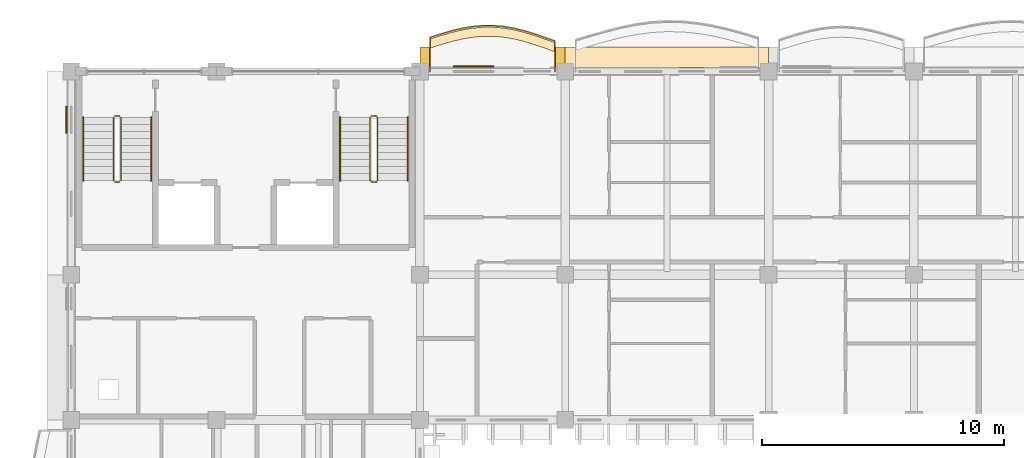
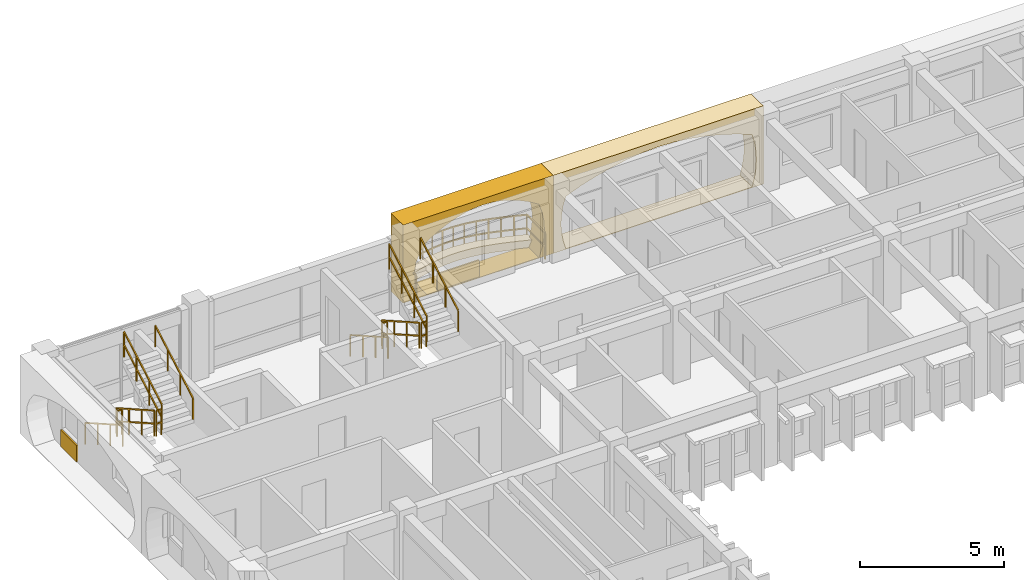
# One storey, part 51 of 70: 13 railings, 5 coverings.
"""IFC4 building model written with IfcOpenShell, lengths in metres."""

import ifcopenshell
import ifcopenshell.guid

model = None  # the IFC model being written
_history = None  # IfcOwnerHistory: only IFC2X3 demands one
_inside = {}  # id of a spatial element -> (the spatial element, [elements in it])
_under = {}  # id of a project, library or spatial element -> (it, [spatial elements below it])
_declared = {}  # id of a project -> (the project, [libraries it declares])
_typed = {}  # id of a type object -> (the type object, [elements of that type])
_made_of = {}  # id of a material, layer set ... -> (it, [elements and type objects made of it])


def new_model(schema):
    """Start an empty IFC model of exactly this schema.

    Asked for "IFC4X3", IfcOpenShell would pick the latest addendum, in which some entities
    have other attributes; the version numbers below select the first issue.
    IFC2X3 requires an IfcOwnerHistory on every rooted entity: one is made here for all.
    """
    global model, _history
    if schema == "IFC4X3":
        model = ifcopenshell.file(schema_version=(4, 3, 0, 0))
    else:
        model = ifcopenshell.file(schema=schema)
    _inside.clear()
    _under.clear()
    _declared.clear()
    _typed.clear()
    _made_of.clear()
    _history = None
    if model.schema == "IFC2X3":
        org = make("IfcOrganization", Name="unknown")
        user = make(
            "IfcPersonAndOrganization",
            ThePerson=make("IfcPerson", FamilyName="unknown"),
            TheOrganization=org,
        )
        app = make(
            "IfcApplication",
            ApplicationDeveloper=org,
            Version="unknown",
            ApplicationFullName="unknown",
            ApplicationIdentifier="unknown",
        )
        _history = make(
            "IfcOwnerHistory",
            OwningUser=user,
            OwningApplication=app,
            ChangeAction="ADDED",
            CreationDate=0,
        )
    return model


def make(cls, **values):
    """One entity of the class cls with the attributes given. An attribute that is None is left unset."""
    return model.create_entity(
        cls, **{name: value for name, value in values.items() if value is not None}
    )


def rooted(cls, **values):
    """An entity with a GlobalId (a new one), such as an element, a storey or a relation."""
    return make(cls, GlobalId=ifcopenshell.guid.new(), OwnerHistory=_history, **values)


def si_unit(unit_type, name, prefix=None):
    """IfcSIUnit, for example si_unit("LENGTHUNIT", "METRE", prefix="MILLI")."""
    return make("IfcSIUnit", UnitType=unit_type, Prefix=prefix, Name=name)


def assignment(units):
    """IfcUnitAssignment: the units of a project."""
    return None if units is None else make("IfcUnitAssignment", Units=units)


def point(xyz):
    """IfcCartesianPoint."""
    return None if xyz is None else make("IfcCartesianPoint", Coordinates=xyz)


def direction(xyz):
    """IfcDirection."""
    return None if xyz is None else make("IfcDirection", DirectionRatios=xyz)


def frame(location, z_axis=None, x_axis=None):
    """IfcAxis2Placement3D, a coordinate frame: its origin and axes. An axis left out is left unset."""
    return make(
        "IfcAxis2Placement3D",
        Location=point(location),
        Axis=direction(z_axis),
        RefDirection=direction(x_axis),
    )


def frame_2d(location, x_axis=None):
    """IfcAxis2Placement2D, a coordinate frame in the plane: its origin and x axis."""
    return make(
        "IfcAxis2Placement2D", Location=point(location), RefDirection=direction(x_axis)
    )


def origin():
    """The frame at (0, 0, 0) with its axes left unset."""
    return frame((0.0, 0.0, 0.0))


def origin_2d():
    """The frame at (0, 0) in the plane with its x axis left unset."""
    return frame_2d((0.0, 0.0))


def place(relative_to, where):
    """IfcLocalPlacement: puts the frame where relative to a parent placement (None: the world)."""
    return make(
        "IfcLocalPlacement", PlacementRelTo=relative_to, RelativePlacement=where
    )


def context(
    kind, dimensions, precision=None, world=None, true_north=None, identifier=None
):
    """IfcGeometricRepresentationContext, for example the 3D "Model" context."""
    return make(
        "IfcGeometricRepresentationContext",
        ContextIdentifier=identifier,
        ContextType=kind,
        CoordinateSpaceDimension=dimensions,
        Precision=precision,
        WorldCoordinateSystem=world,
        TrueNorth=true_north,
    )


def subcontext(parent, identifier, kind, view, scale=None):
    """IfcGeometricRepresentationSubContext, for example "Body" below "Model"."""
    return make(
        "IfcGeometricRepresentationSubContext",
        ContextIdentifier=identifier,
        ContextType=kind,
        ParentContext=parent,
        TargetScale=scale,
        TargetView=view,
    )


def project(units=None, contexts=None):
    """IfcProject with its units and contexts."""
    return rooted(
        "IfcProject",
        Name="project",
        RepresentationContexts=contexts,
        UnitsInContext=assignment(units),
    )


def spatial(cls, under=None, at=None, **own):
    """A site, building, storey or space (cls), placed at a placement, below another one or the project."""
    s = rooted(cls, ObjectPlacement=at, **own)
    if under is not None:
        _under.setdefault(under.id(), (under, []))[1].append(s)
    return s


def polyline(points):
    """IfcPolyline through the points."""
    return make("IfcPolyline", Points=[point(p) for p in points])


def profile(cls, at=None, kind="AREA", **sizes):
    """A parametric profile (cls). Its sizes go by their IFC names, for example OverallWidth=200.0."""
    return make(cls, ProfileType=kind, Position=at, **sizes)


def rectangle(**sizes):
    """IfcRectangleProfileDef."""
    return profile("IfcRectangleProfileDef", **sizes)


def outline(outer, holes=None, kind="AREA"):
    """IfcArbitraryClosedProfileDef: a profile drawn as a closed curve; with holes, ...WithVoids."""
    if holes is None:
        return make("IfcArbitraryClosedProfileDef", ProfileType=kind, OuterCurve=outer)
    return make(
        "IfcArbitraryProfileDefWithVoids",
        ProfileType=kind,
        OuterCurve=outer,
        InnerCurves=holes,
    )


def extrude(swept, where, along, depth):
    """IfcExtrudedAreaSolid: the profile swept, set in the frame where, extruded along a direction by depth."""
    return make(
        "IfcExtrudedAreaSolid",
        SweptArea=swept,
        Position=where,
        ExtrudedDirection=direction(along),
        Depth=depth,
    )


def shape(context_of_items, identifier, shape_type, items):
    """IfcShapeRepresentation: the items that make up one representation, for example the "Body"."""
    return make(
        "IfcShapeRepresentation",
        ContextOfItems=context_of_items,
        RepresentationIdentifier=identifier,
        RepresentationType=shape_type,
        Items=items,
    )


def material(Name=None, Category=None):
    """IfcMaterial."""
    return make("IfcMaterial", Name=Name, Category=Category)


def layer(
    of_material, thickness, ventilated=None, Name=None, Category=None, Priority=None
):
    """IfcMaterialLayer: one layer of a wall or slab, of a material (None: an air gap)."""
    return make(
        "IfcMaterialLayer",
        Material=of_material,
        LayerThickness=thickness,
        IsVentilated=ventilated,
        Name=Name,
        Category=Category,
        Priority=Priority,
    )


def layer_set(layers, Name=None):
    """IfcMaterialLayerSet."""
    return make("IfcMaterialLayerSet", MaterialLayers=layers, LayerSetName=Name)


def made_of(thing, what):
    """Note that an element or type object is made of a material, layer set ...; save() writes the relation."""
    if what is not None:
        _made_of.setdefault(what.id(), (what, []))[1].append(thing)
    return thing


def type_object(cls, material=None, **own):
    """A type object (cls), such as IfcWallType, which elements share."""
    return made_of(rooted(cls, **own), material)


def element(
    cls,
    number,
    at=None,
    inside=None,
    cuts=None,
    type_object=None,
    material=None,
    context=None,
    identifier="Body",
    shape_type=None,
    held_by="IfcProductDefinitionShape",
    body=None,
    shapes=None,
    **own,
):
    """One element of the class cls, such as IfcWall. Its Tag is "e" and its number.

    at: its placement. inside: the storey or other place that contains it. cuts: it is an
    opening in that element (IfcRelVoidsElement). A single representation is given by context,
    identifier, shape_type and body (its items); several are given by shapes. held_by: the class
    of the entity that holds the representations. save() writes the other relations.
    """
    e = rooted(cls, Tag="e%d" % number, ObjectPlacement=at, **own)
    if body is not None:
        shapes = [shape(context, identifier, shape_type, body)]
    if shapes is not None:
        e.Representation = make(held_by, Representations=shapes)
    if inside is not None:
        _inside.setdefault(inside.id(), (inside, []))[1].append(e)
    if cuts is not None:
        rooted(
            "IfcRelVoidsElement", RelatingBuildingElement=cuts, RelatedOpeningElement=e
        )
    if type_object is not None:
        _typed.setdefault(type_object.id(), (type_object, []))[1].append(e)
    return made_of(e, material)


def aggregate(whole, parts):
    """IfcRelAggregates: a whole, such as a stair, and the parts it consists of."""
    return rooted("IfcRelAggregates", RelatingObject=whole, RelatedObjects=parts)


def save(model, path):
    """Write the relations noted so far, then the file.

    IfcRelAggregates (storeys below a building ...), IfcRelContainedInSpatialStructure (elements
    in a storey), IfcRelDefinesByType, IfcRelAssociatesMaterial and IfcRelDeclares: one each for
    every whole, place, type object, material and project.
    """
    for whole, parts in _under.values():
        aggregate(whole, parts)
    for where, things in _inside.values():
        rooted(
            "IfcRelContainedInSpatialStructure",
            RelatedElements=things,
            RelatingStructure=where,
        )
    for kind, things in _typed.values():
        rooted("IfcRelDefinesByType", RelatedObjects=things, RelatingType=kind)
    for what, things in _made_of.values():
        rooted("IfcRelAssociatesMaterial", RelatedObjects=things, RelatingMaterial=what)
    for by, libraries in _declared.values():
        rooted("IfcRelDeclares", RelatingContext=by, RelatedDefinitions=libraries)
    model.write(path)


model = new_model("IFC4")

# Units and contexts
model_context = context("Model", 3, precision=1e-05, world=origin(), true_north=direction((0.0, 1.0)))
body_context = subcontext(model_context, "Body", "Model", "MODEL_VIEW")
ifc_project = project(units=[si_unit("LENGTHUNIT", "METRE"), si_unit("AREAUNIT", "SQUARE_METRE"), si_unit("VOLUMEUNIT", "CUBIC_METRE"), si_unit("PLANEANGLEUNIT", "RADIAN"), si_unit("MASSUNIT", "GRAM", prefix="KILO"), si_unit("THERMODYNAMICTEMPERATUREUNIT", "KELVIN")], contexts=[model_context])

# Site, building, storey
site_placement = place(None, origin())
site = spatial("IfcSite", under=ifc_project, at=site_placement, CompositionType="ELEMENT")
building_placement = place(site_placement, origin())
building = spatial("IfcBuilding", under=site, at=building_placement, Name="Thalorik Housing Commons", CompositionType="ELEMENT")
storey_placement = place(building_placement, frame((0.0, 0.0, 14.699951171875)))
storey = spatial("IfcBuildingStorey", under=building, at=storey_placement, Name="L04", CompositionType="ELEMENT", Elevation=14.699951171875)

# Coverings
ifc_material_1 = material(Name="Cobalt blue glazed ceramic facade tile panel", Category="masonry")
ifc_layer_1 = layer(ifc_material_1, 0.06005859375, Name="Cobalt blue glazed ceramic facade tile panel", Category="masonry")
ifc_layer_set_1 = layer_set([ifc_layer_1], Name="Cobalt blue glazed ceramic facade tile panel")
covering_type_1 = type_object("IfcCoveringType", Name="ARC-CLD-BLU-60", PredefinedType="CLADDING", material=ifc_layer_set_1)
covering_1_placement = place(storey_placement, frame((25.010009765625, 123.794921875, 0.05029296875), z_axis=(0.0, 0.0, 1.0), x_axis=(-1.0, 0.0, 0.0)))
element("IfcCovering", 1, at=covering_1_placement, inside=storey, type_object=covering_type_1, Name="L04 De Stijl Recessed Window Spandrel 437", PredefinedType="CLADDING", context=body_context, shape_type="SweptSolid", body=[
    extrude(rectangle(XDim=1.679931640625, YDim=0.06005859375, at=origin_2d()), origin(), (0.0, 0.0, 1.0), 0.699951171875),
])
covering_2_placement = place(storey_placement, frame((8.205078125, 121.603759765625, 0.05029296875), z_axis=(0.0, 0.0, 1.0), x_axis=(0.0, -1.0, 0.0)))
element("IfcCovering", 2, at=covering_2_placement, inside=storey, type_object=covering_type_1, Name="L04 De Stijl Recessed Window Spandrel 439", PredefinedType="CLADDING", context=body_context, shape_type="SweptSolid", body=[
    extrude(rectangle(XDim=1.10009765625, YDim=0.06005859375, at=origin_2d()), origin(), (0.0, 0.0, 1.0), 0.699951171875),
])
ifc_material_2 = material(Name="Precast concrete C40/50", Category="concrete")
ifc_layer_2 = layer(ifc_material_2, 0.85009765625, Name="Precast concrete C40/50", Category="concrete")
ifc_layer_set_2 = layer_set([ifc_layer_2], Name="Precast concrete C40/50")
covering_type_2 = type_object("IfcCoveringType", Name="ARC-CLD-CUSH-850", PredefinedType="CLADDING", material=ifc_layer_set_2)
covering_3_placement = place(storey_placement, frame((33.0, 124.18505859375, 0.0), z_axis=(0.0, 0.0, 1.0), x_axis=(-1.0, 0.0, 0.0)))
element("IfcCovering", 3, at=covering_3_placement, inside=storey, type_object=covering_type_2, Name="L04 White Precast Curved Cushion Bay Frame 434", PredefinedType="CLADDING", context=body_context, shape_type="SweptSolid", body=[
    extrude(outline(polyline([(-4.199951171875, 0.0), (4.199951171875, 0.0), (4.199951171875, 3.300048828125), (-4.199951171875, 3.300048828125), (-4.199951171875, 0.0)]), holes=[polyline([(3.697265625, 0.02490234375), (3.80322265625, 0.394287109375), (3.866943359375, 0.76318359375), (3.88818359375, 1.132568359375), (3.866943359375, 1.501708984375), (3.80322265625, 1.870849609375), (3.697265625, 2.239990234375), (3.07666015625, 2.4833984375), (2.4560546875, 2.6748046875), (1.83544921875, 2.82958984375), (1.21484375, 2.94482421875), (0.59423828125, 3.01611328125), (-0.0263671875, 3.0400390625), (-0.64697265625, 3.01611328125), (-1.267578125, 2.94482421875), (-1.88818359375, 2.82958984375), (-2.5087890625, 2.6748046875), (-3.12939453125, 2.4833984375), (-3.75, 2.239990234375), (-3.844970703125, 1.870849609375), (-3.902099609375, 1.501708984375), (-3.9208984375, 1.132568359375), (-3.902099609375, 0.76318359375), (-3.844970703125, 0.394287109375), (-3.75, 0.02490234375), (3.697265625, 0.02490234375)])]), frame((0.0, 0.425048828125, 0.0), z_axis=(0.0, -1.0, 0.0), x_axis=(1.0, 0.0, 0.0)), (0.0, 0.0, 1.0), 0.85009765625),
])
covering_4_placement = place(storey_placement, frame((25.800048828125, 124.18505859375, 0.0), z_axis=(0.0, 0.0, 1.0), x_axis=(-1.0, 0.0, 0.0)))
element("IfcCovering", 4, at=covering_4_placement, inside=storey, type_object=covering_type_2, Name="L04 White Precast Curved Cushion Bay Frame 436", PredefinedType="CLADDING", context=body_context, shape_type="SweptSolid", body=[
    extrude(outline(polyline([(-3.0, 0.0), (3.0, 0.0), (3.0, 3.300048828125), (-3.0, 3.300048828125), (-3.0, 0.0)]), holes=[polyline([(2.0400390625, 0.02490234375), (2.3232421875, 0.40087890625), (2.493408203125, 0.776611328125), (2.550048828125, 1.152587890625), (2.493408203125, 1.5283203125), (2.3232421875, 1.904296875), (2.0400390625, 2.280029296875), (1.66748046875, 2.51123046875), (1.294921875, 2.693115234375), (0.922607421875, 2.840087890625), (0.550048828125, 2.94970703125), (0.177490234375, 3.01708984375), (-0.195068359375, 3.0400390625), (-0.5673828125, 3.01708984375), (-0.93994140625, 2.94970703125), (-1.3125, 2.840087890625), (-1.68505859375, 2.693115234375), (-2.0576171875, 2.51123046875), (-2.429931640625, 2.280029296875), (-2.55029296875, 1.904296875), (-2.62255859375, 1.5283203125), (-2.646484375, 1.152587890625), (-2.62255859375, 0.776611328125), (-2.55029296875, 0.40087890625), (-2.429931640625, 0.02490234375), (2.0400390625, 0.02490234375)])]), frame((0.0, 0.425048828125, 0.0), z_axis=(0.0, -1.0, 0.0), x_axis=(1.0, 0.0, 0.0)), (0.0, 0.0, 1.0), 0.85009765625),
])
ifc_material_3 = material(Name="Planted vegetated substrate and terracotta trough", Category="masonry")
ifc_layer_3 = layer(ifc_material_3, 0.340087890625, Name="Planted vegetated substrate and terracotta trough", Category="masonry")
ifc_layer_set_3 = layer_set([ifc_layer_3], Name="Planted vegetated substrate and terracotta trough")
covering_type_3 = type_object("IfcCoveringType", Name="ARC-COV-PLANTER", PredefinedType="USERDEFINED", material=ifc_layer_set_3)
covering_5_placement = place(storey_placement, origin())
element("IfcCovering", 5, at=covering_5_placement, inside=storey, type_object=covering_type_3, Name="L04 Balcony Slab-Edge Planted Trough 5337", ObjectType="PLANTER", PredefinedType="USERDEFINED", context=body_context, shape_type="SweptSolid", body=[
    extrude(outline(polyline([(28.3798828125, 124.786865234375), (27.949951171875, 124.939697265625), (27.52001953125, 125.086181640625), (27.090087890625, 125.2158203125), (26.659912109375, 125.31982421875), (26.22998046875, 125.391845703125), (25.800048828125, 125.427001953125), (25.3701171875, 125.423095703125), (24.93994140625, 125.381591796875), (24.510009765625, 125.305419921875), (24.080078125, 125.20068359375), (23.64990234375, 125.075439453125), (23.219970703125, 124.938720703125), (23.219970703125, 124.55859375), (23.64990234375, 124.695556640625), (24.080078125, 124.82080078125), (24.510009765625, 124.925537109375), (24.93994140625, 125.001708984375), (25.3701171875, 125.043212890625), (25.800048828125, 125.046875), (26.22998046875, 125.01171875), (26.659912109375, 124.93994140625), (27.090087890625, 124.835693359375), (27.52001953125, 124.7060546875), (27.949951171875, 124.559814453125), (28.3798828125, 124.40673828125), (28.3798828125, 124.786865234375)])), origin(), (0.0, 0.0, 1.0), 0.340087890625),
])

# Railings
ifc_material_4 = material(Name="Steel S355", Category="steel")
railing_type_1 = type_object("IfcRailingType", Name="ARC-RL-BAL-115", PredefinedType="BALUSTRADE", material=ifc_material_4)
railing_1_placement = place(storey_placement, frame((28.3798828125, 123.60009765625, 0.0)))
element("IfcRailing", 6, at=railing_1_placement, inside=storey, type_object=railing_type_1, Name="L04 Cushion Balcony Guardrail 21", PredefinedType="BALUSTRADE", context=body_context, shape_type="SweptSolid", body=[
    extrude(rectangle(XDim=0.050048828125, YDim=0.050048828125, at=origin_2d()), frame((0.0, 0.0, 1.125), z_axis=(0.0, 1.0, 0.0), x_axis=(-1.0, 0.0, 0.0)), (0.0, 0.0, 1.0), 1.256591796875),
    extrude(rectangle(XDim=0.050048828125, YDim=0.050048828125, at=origin_2d()), frame((0.0, 0.0, 0.5498046875), z_axis=(0.0, 1.0, 0.0), x_axis=(-1.0, 0.0, 0.0)), (0.0, 0.0, 1.0), 1.256591796875),
    extrude(rectangle(XDim=0.050048828125, YDim=0.050048828125, at=origin_2d()), frame((0.0, 1.256591796875, 1.125), z_axis=(-0.942068253885, 0.335421235199, 0.0), x_axis=(-0.335421235199, -0.942068253885, 0.0)), (0.0, 0.0, 1.0), 0.456298828125),
    extrude(rectangle(XDim=0.050048828125, YDim=0.050048828125, at=origin_2d()), frame((0.0, 1.256591796875, 0.5498046875), z_axis=(-0.942068253885, 0.335421235199, 0.0), x_axis=(-0.335421235199, -0.942068253885, 0.0)), (0.0, 0.0, 1.0), 0.456298828125),
    extrude(rectangle(XDim=0.050048828125, YDim=0.050048828125, at=origin_2d()), frame((-0.429931640625, 1.40966796875, 1.125), z_axis=(-0.94673013643, 0.322028024828, 0.0), x_axis=(-0.322028024828, -0.94673013643, 0.0)), (0.0, 0.0, 1.0), 0.4541015625),
    extrude(rectangle(XDim=0.050048828125, YDim=0.050048828125, at=origin_2d()), frame((-0.429931640625, 1.40966796875, 0.5498046875), z_axis=(-0.94673013643, 0.322028024828, 0.0), x_axis=(-0.322028024828, -0.94673013643, 0.0)), (0.0, 0.0, 1.0), 0.4541015625),
    extrude(rectangle(XDim=0.050048828125, YDim=0.050048828125, at=origin_2d()), frame((-0.85986328125, 1.555908203125, 1.125), z_axis=(-0.957421319012, 0.28869433299, 0.0), x_axis=(-0.28869433299, -0.957421319012, 0.0)), (0.0, 0.0, 1.0), 0.448974609375),
    extrude(rectangle(XDim=0.050048828125, YDim=0.050048828125, at=origin_2d()), frame((-0.85986328125, 1.555908203125, 0.5498046875), z_axis=(-0.957421319012, 0.28869433299, 0.0), x_axis=(-0.28869433299, -0.957421319012, 0.0)), (0.0, 0.0, 1.0), 0.448974609375),
    extrude(rectangle(XDim=0.050048828125, YDim=0.050048828125, at=origin_2d()), frame((-1.289794921875, 1.685546875, 1.125), z_axis=(-0.971869237666, 0.235521092215, 0.0), x_axis=(-0.235521092215, -0.971869237666, 0.0)), (0.0, 0.0, 1.0), 0.442626953125),
    extrude(rectangle(XDim=0.050048828125, YDim=0.050048828125, at=origin_2d()), frame((-1.289794921875, 1.685546875, 0.5498046875), z_axis=(-0.971869237666, 0.235521092215, 0.0), x_axis=(-0.235521092215, -0.971869237666, 0.0)), (0.0, 0.0, 1.0), 0.442626953125),
    extrude(rectangle(XDim=0.050048828125, YDim=0.050048828125, at=origin_2d()), frame((-1.719970703125, 1.789794921875, 1.125), z_axis=(-0.986257355507, 0.165216308844, 0.0), x_axis=(-0.165216308844, -0.986257355507, 0.0)), (0.0, 0.0, 1.0), 0.43603515625),
    extrude(rectangle(XDim=0.050048828125, YDim=0.050048828125, at=origin_2d()), frame((-1.719970703125, 1.789794921875, 0.5498046875), z_axis=(-0.986257355507, 0.165216308844, 0.0), x_axis=(-0.165216308844, -0.986257355507, 0.0)), (0.0, 0.0, 1.0), 0.43603515625),
    extrude(rectangle(XDim=0.050048828125, YDim=0.050048828125, at=origin_2d()), frame((-2.14990234375, 1.86181640625, 1.125), z_axis=(-0.996719183002, 0.080937446433, 0.0), x_axis=(-0.080937446433, -0.996719183002, 0.0)), (0.0, 0.0, 1.0), 0.431396484375),
    extrude(rectangle(XDim=0.050048828125, YDim=0.050048828125, at=origin_2d()), frame((-2.14990234375, 1.86181640625, 0.5498046875), z_axis=(-0.996719183002, 0.080937446433, 0.0), x_axis=(-0.080937446433, -0.996719183002, 0.0)), (0.0, 0.0, 1.0), 0.431396484375),
    extrude(rectangle(XDim=0.050048828125, YDim=0.050048828125, at=origin_2d()), frame((-2.579833984375, 1.896728515625, 1.125), z_axis=(-0.99996372477, -0.008517578576, 0.0), x_axis=(0.008517578576, -0.99996372477, 0.0)), (0.0, 0.0, 1.0), 0.429931640625),
    extrude(rectangle(XDim=0.050048828125, YDim=0.050048828125, at=origin_2d()), frame((-2.579833984375, 1.896728515625, 0.5498046875), z_axis=(-0.99996372477, -0.008517578576, 0.0), x_axis=(0.008517578576, -0.99996372477, 0.0)), (0.0, 0.0, 1.0), 0.429931640625),
    extrude(rectangle(XDim=0.050048828125, YDim=0.050048828125, at=origin_2d()), frame((-3.009765625, 1.89306640625, 1.125), z_axis=(-0.995377926131, -0.09603532772, 0.0), x_axis=(0.09603532772, -0.995377926131, 0.0)), (0.0, 0.0, 1.0), 0.43212890625),
    extrude(rectangle(XDim=0.050048828125, YDim=0.050048828125, at=origin_2d()), frame((-3.009765625, 1.89306640625, 0.5498046875), z_axis=(-0.995377926131, -0.09603532772, 0.0), x_axis=(0.09603532772, -0.995377926131, 0.0)), (0.0, 0.0, 1.0), 0.43212890625),
    extrude(rectangle(XDim=0.050048828125, YDim=0.050048828125, at=origin_2d()), frame((-3.43994140625, 1.8515625, 1.125), z_axis=(-0.984665121198, -0.174455149241, 0.0), x_axis=(0.174455149241, -0.984665121198, 0.0)), (0.0, 0.0, 1.0), 0.4365234375),
    extrude(rectangle(XDim=0.050048828125, YDim=0.050048828125, at=origin_2d()), frame((-3.43994140625, 1.8515625, 0.5498046875), z_axis=(-0.984665121198, -0.174455149241, 0.0), x_axis=(0.174455149241, -0.984665121198, 0.0)), (0.0, 0.0, 1.0), 0.4365234375),
    extrude(rectangle(XDim=0.050048828125, YDim=0.050048828125, at=origin_2d()), frame((-3.869873046875, 1.775390625, 1.125), z_axis=(-0.971585356615, -0.236689448034, 0.0), x_axis=(0.236689448034, -0.971585356615, 0.0)), (0.0, 0.0, 1.0), 0.442626953125),
    extrude(rectangle(XDim=0.050048828125, YDim=0.050048828125, at=origin_2d()), frame((-3.869873046875, 1.775390625, 0.5498046875), z_axis=(-0.971585356615, -0.236689448034, 0.0), x_axis=(0.236689448034, -0.971585356615, 0.0)), (0.0, 0.0, 1.0), 0.442626953125),
    extrude(rectangle(XDim=0.050048828125, YDim=0.050048828125, at=origin_2d()), frame((-4.2998046875, 1.670654296875, 1.125), z_axis=(-0.960134155835, -0.279539626528, 0.0), x_axis=(0.279539626528, -0.960134155835, 0.0)), (0.0, 0.0, 1.0), 0.447998046875),
    extrude(rectangle(XDim=0.050048828125, YDim=0.050048828125, at=origin_2d()), frame((-4.2998046875, 1.670654296875, 0.5498046875), z_axis=(-0.960134155835, -0.279539626528, 0.0), x_axis=(0.279539626528, -0.960134155835, 0.0)), (0.0, 0.0, 1.0), 0.447998046875),
    extrude(rectangle(XDim=0.050048828125, YDim=0.050048828125, at=origin_2d()), frame((-4.72998046875, 1.54541015625, 1.125), z_axis=(-0.952975516976, -0.30304729671, 0.0), x_axis=(0.30304729671, -0.952975516976, 0.0)), (0.0, 0.0, 1.0), 0.451171875),
    extrude(rectangle(XDim=0.050048828125, YDim=0.050048828125, at=origin_2d()), frame((-4.72998046875, 1.54541015625, 0.5498046875), z_axis=(-0.952975516976, -0.30304729671, 0.0), x_axis=(0.30304729671, -0.952975516976, 0.0)), (0.0, 0.0, 1.0), 0.451171875),
    extrude(rectangle(XDim=0.050048828125, YDim=0.050048828125, at=origin_2d()), frame((-5.159912109375, 1.40869140625, 1.125), z_axis=(0.0, -1.0, 0.0), x_axis=(1.0, 0.0, 0.0)), (0.0, 0.0, 1.0), 1.40869140625),
    extrude(rectangle(XDim=0.050048828125, YDim=0.050048828125, at=origin_2d()), frame((-5.159912109375, 1.40869140625, 0.5498046875), z_axis=(0.0, -1.0, 0.0), x_axis=(1.0, 0.0, 0.0)), (0.0, 0.0, 1.0), 1.40869140625),
    extrude(rectangle(XDim=0.0419921875, YDim=0.0419921875, at=origin_2d()), origin(), (0.0, 0.0, 1.0), 1.099853515625),
    extrude(rectangle(XDim=0.0419921875, YDim=0.0419921875, at=origin_2d()), frame((0.0, 1.256591796875, 0.0)), (0.0, 0.0, 1.0), 1.099853515625),
    extrude(rectangle(XDim=0.0419921875, YDim=0.0419921875, at=origin_2d()), frame((-0.429931640625, 1.40966796875, 0.0)), (0.0, 0.0, 1.0), 1.099853515625),
    extrude(rectangle(XDim=0.0419921875, YDim=0.0419921875, at=origin_2d()), frame((-0.85986328125, 1.555908203125, 0.0)), (0.0, 0.0, 1.0), 1.099853515625),
    extrude(rectangle(XDim=0.0419921875, YDim=0.0419921875, at=origin_2d()), frame((-1.289794921875, 1.685546875, 0.0)), (0.0, 0.0, 1.0), 1.099853515625),
    extrude(rectangle(XDim=0.0419921875, YDim=0.0419921875, at=origin_2d()), frame((-1.719970703125, 1.789794921875, 0.0)), (0.0, 0.0, 1.0), 1.099853515625),
    extrude(rectangle(XDim=0.0419921875, YDim=0.0419921875, at=origin_2d()), frame((-2.14990234375, 1.86181640625, 0.0)), (0.0, 0.0, 1.0), 1.099853515625),
    extrude(rectangle(XDim=0.0419921875, YDim=0.0419921875, at=origin_2d()), frame((-2.579833984375, 1.896728515625, 0.0)), (0.0, 0.0, 1.0), 1.099853515625),
    extrude(rectangle(XDim=0.0419921875, YDim=0.0419921875, at=origin_2d()), frame((-3.009765625, 1.89306640625, 0.0)), (0.0, 0.0, 1.0), 1.099853515625),
    extrude(rectangle(XDim=0.0419921875, YDim=0.0419921875, at=origin_2d()), frame((-3.43994140625, 1.8515625, 0.0)), (0.0, 0.0, 1.0), 1.099853515625),
    extrude(rectangle(XDim=0.0419921875, YDim=0.0419921875, at=origin_2d()), frame((-3.869873046875, 1.775390625, 0.0)), (0.0, 0.0, 1.0), 1.099853515625),
    extrude(rectangle(XDim=0.0419921875, YDim=0.0419921875, at=origin_2d()), frame((-4.2998046875, 1.670654296875, 0.0)), (0.0, 0.0, 1.0), 1.099853515625),
    extrude(rectangle(XDim=0.0419921875, YDim=0.0419921875, at=origin_2d()), frame((-4.72998046875, 1.54541015625, 0.0)), (0.0, 0.0, 1.0), 1.099853515625),
    extrude(rectangle(XDim=0.0419921875, YDim=0.0419921875, at=origin_2d()), frame((-5.159912109375, 1.40869140625, 0.0)), (0.0, 0.0, 1.0), 1.099853515625),
    extrude(rectangle(XDim=0.0419921875, YDim=0.0419921875, at=origin_2d()), frame((-5.159912109375, 0.0, 0.0)), (0.0, 0.0, 1.0), 1.099853515625),
])
railing_type_2 = type_object("IfcRailingType", Name="ARC-RL-STR-GRD110", PredefinedType="GUARDRAIL", material=ifc_material_4)
railing_2_placement = place(storey_placement, frame((10.14990234375, 121.699951171875, 0.1650390625)))
element("IfcRailing", 7, at=railing_2_placement, inside=storey, type_object=railing_type_2, Name="L04 ST-A1 stair guard 1", PredefinedType="GUARDRAIL", context=body_context, shape_type="SweptSolid", body=[
    extrude(rectangle(XDim=0.048095703125, YDim=0.048095703125, at=origin_2d()), frame((0.0, 0.0, 1.076171875), z_axis=(0.0, -0.869137319866, 0.494570843475), x_axis=(1.0, 0.0, 0.0)), (0.0, 0.0, 1.0), 3.0029296875),
    extrude(rectangle(XDim=0.048095703125, YDim=0.048095703125, at=origin_2d()), frame((0.0, 0.0, 0.52587890625), z_axis=(0.0, -0.869137319866, 0.494570843475), x_axis=(1.0, 0.0, 0.0)), (0.0, 0.0, 1.0), 3.0029296875),
    extrude(rectangle(XDim=0.0419921875, YDim=0.0419921875, at=origin_2d()), origin(), (0.0, 0.0, 1.0), 1.052001953125),
    extrude(rectangle(XDim=0.0419921875, YDim=0.0419921875, at=origin_2d()), frame((0.0, -0.869873046875, 0.4951171875)), (0.0, 0.0, 1.0), 1.052001953125),
    extrude(rectangle(XDim=0.0419921875, YDim=0.0419921875, at=origin_2d()), frame((0.0, -1.739990234375, 0.989990234375)), (0.0, 0.0, 1.0), 1.052001953125),
    extrude(rectangle(XDim=0.0419921875, YDim=0.0419921875, at=origin_2d()), frame((0.0, -2.60986328125, 1.485107421875)), (0.0, 0.0, 1.0), 1.052001953125),
])
railing_3_placement = place(storey_placement, frame((10.199951171875, 119.0400390625, 1.650146484375)))
element("IfcRailing", 8, at=railing_3_placement, inside=storey, type_object=railing_type_2, Name="L04 ST-A1 stair guard 2", PredefinedType="GUARDRAIL", context=body_context, shape_type="SweptSolid", body=[
    extrude(rectangle(XDim=0.048095703125, YDim=0.048095703125, at=origin_2d()), frame((0.0, 0.0, 1.076171875), z_axis=(1.0, 0.0, 0.0), x_axis=(0.0, 1.0, 0.0)), (0.0, 0.0, 1.0), 0.199951171875),
    extrude(rectangle(XDim=0.048095703125, YDim=0.048095703125, at=origin_2d()), frame((0.0, 0.0, 0.52587890625), z_axis=(1.0, 0.0, 0.0), x_axis=(0.0, 1.0, 0.0)), (0.0, 0.0, 1.0), 0.199951171875),
    extrude(rectangle(XDim=0.0419921875, YDim=0.0419921875, at=origin_2d()), origin(), (0.0, 0.0, 1.0), 1.052001953125),
    extrude(rectangle(XDim=0.0419921875, YDim=0.0419921875, at=origin_2d()), frame((0.199951171875, 0.0, 0.0)), (0.0, 0.0, 1.0), 1.052001953125),
])
railing_4_placement = place(storey_placement, frame((10.449951171875, 119.090087890625, 1.81494140625)))
element("IfcRailing", 9, at=railing_4_placement, inside=storey, type_object=railing_type_2, Name="L04 ST-A1 stair guard 3", PredefinedType="GUARDRAIL", context=body_context, shape_type="SweptSolid", body=[
    extrude(rectangle(XDim=0.048095703125, YDim=0.048095703125, at=origin_2d()), frame((0.0, 0.0, 1.076171875), z_axis=(0.0, 0.869137319866, 0.494570843475), x_axis=(-1.0, 0.0, 0.0)), (0.0, 0.0, 1.0), 3.0029296875),
    extrude(rectangle(XDim=0.048095703125, YDim=0.048095703125, at=origin_2d()), frame((0.0, 0.0, 0.52587890625), z_axis=(0.0, 0.869137319866, 0.494570843475), x_axis=(-1.0, 0.0, 0.0)), (0.0, 0.0, 1.0), 3.0029296875),
    extrude(rectangle(XDim=0.0419921875, YDim=0.0419921875, at=origin_2d()), origin(), (0.0, 0.0, 1.0), 1.052001953125),
    extrude(rectangle(XDim=0.0419921875, YDim=0.0419921875, at=origin_2d()), frame((0.0, 0.869873046875, 0.4951171875)), (0.0, 0.0, 1.0), 1.052001953125),
    extrude(rectangle(XDim=0.0419921875, YDim=0.0419921875, at=origin_2d()), frame((0.0, 1.739990234375, 0.989990234375)), (0.0, 0.0, 1.0), 1.052001953125),
    extrude(rectangle(XDim=0.0419921875, YDim=0.0419921875, at=origin_2d()), frame((0.0, 2.60986328125, 1.485107421875)), (0.0, 0.0, 1.0), 1.052001953125),
])
railing_5_placement = place(storey_placement, frame((10.199951171875, 121.75, 0.0)))
element("IfcRailing", 10, at=railing_5_placement, inside=storey, type_object=railing_type_2, Name="L04 ST-A1 stair guard 4", PredefinedType="GUARDRAIL", context=body_context, shape_type="SweptSolid", body=[
    extrude(rectangle(XDim=0.048095703125, YDim=0.048095703125, at=origin_2d()), frame((0.0, 0.0, 1.076171875), z_axis=(1.0, 0.0, 0.0), x_axis=(0.0, 1.0, 0.0)), (0.0, 0.0, 1.0), 0.199951171875),
    extrude(rectangle(XDim=0.048095703125, YDim=0.048095703125, at=origin_2d()), frame((0.0, 0.0, 0.52587890625), z_axis=(1.0, 0.0, 0.0), x_axis=(0.0, 1.0, 0.0)), (0.0, 0.0, 1.0), 0.199951171875),
    extrude(rectangle(XDim=0.0419921875, YDim=0.0419921875, at=origin_2d()), origin(), (0.0, 0.0, 1.0), 1.052001953125),
    extrude(rectangle(XDim=0.0419921875, YDim=0.0419921875, at=origin_2d()), frame((0.199951171875, 0.0, 0.0)), (0.0, 0.0, 1.0), 1.052001953125),
])
railing_6_placement = place(storey_placement, frame((20.75, 121.699951171875, 0.1650390625)))
element("IfcRailing", 11, at=railing_6_placement, inside=storey, type_object=railing_type_2, Name="L04 ST-A2 stair guard 1", PredefinedType="GUARDRAIL", context=body_context, shape_type="SweptSolid", body=[
    extrude(rectangle(XDim=0.048095703125, YDim=0.048095703125, at=origin_2d()), frame((0.0, 0.0, 1.076171875), z_axis=(0.0, -0.869137319866, 0.494570843475), x_axis=(1.0, 0.0, 0.0)), (0.0, 0.0, 1.0), 3.0029296875),
    extrude(rectangle(XDim=0.048095703125, YDim=0.048095703125, at=origin_2d()), frame((0.0, 0.0, 0.52587890625), z_axis=(0.0, -0.869137319866, 0.494570843475), x_axis=(1.0, 0.0, 0.0)), (0.0, 0.0, 1.0), 3.0029296875),
    extrude(rectangle(XDim=0.0419921875, YDim=0.0419921875, at=origin_2d()), origin(), (0.0, 0.0, 1.0), 1.052001953125),
    extrude(rectangle(XDim=0.0419921875, YDim=0.0419921875, at=origin_2d()), frame((0.0, -0.869873046875, 0.4951171875)), (0.0, 0.0, 1.0), 1.052001953125),
    extrude(rectangle(XDim=0.0419921875, YDim=0.0419921875, at=origin_2d()), frame((0.0, -1.739990234375, 0.989990234375)), (0.0, 0.0, 1.0), 1.052001953125),
    extrude(rectangle(XDim=0.0419921875, YDim=0.0419921875, at=origin_2d()), frame((0.0, -2.60986328125, 1.485107421875)), (0.0, 0.0, 1.0), 1.052001953125),
])
railing_7_placement = place(storey_placement, frame((20.800048828125, 119.0400390625, 1.650146484375)))
element("IfcRailing", 12, at=railing_7_placement, inside=storey, type_object=railing_type_2, Name="L04 ST-A2 stair guard 2", PredefinedType="GUARDRAIL", context=body_context, shape_type="SweptSolid", body=[
    extrude(rectangle(XDim=0.048095703125, YDim=0.048095703125, at=origin_2d()), frame((0.0, 0.0, 1.076171875), z_axis=(1.0, 0.0, 0.0), x_axis=(0.0, 1.0, 0.0)), (0.0, 0.0, 1.0), 0.199951171875),
    extrude(rectangle(XDim=0.048095703125, YDim=0.048095703125, at=origin_2d()), frame((0.0, 0.0, 0.52587890625), z_axis=(1.0, 0.0, 0.0), x_axis=(0.0, 1.0, 0.0)), (0.0, 0.0, 1.0), 0.199951171875),
    extrude(rectangle(XDim=0.0419921875, YDim=0.0419921875, at=origin_2d()), origin(), (0.0, 0.0, 1.0), 1.052001953125),
    extrude(rectangle(XDim=0.0419921875, YDim=0.0419921875, at=origin_2d()), frame((0.199951171875, 0.0, 0.0)), (0.0, 0.0, 1.0), 1.052001953125),
])
railing_8_placement = place(storey_placement, frame((21.050048828125, 119.090087890625, 1.81494140625)))
element("IfcRailing", 13, at=railing_8_placement, inside=storey, type_object=railing_type_2, Name="L04 ST-A2 stair guard 3", PredefinedType="GUARDRAIL", context=body_context, shape_type="SweptSolid", body=[
    extrude(rectangle(XDim=0.048095703125, YDim=0.048095703125, at=origin_2d()), frame((0.0, 0.0, 1.076171875), z_axis=(0.0, 0.869137319866, 0.494570843475), x_axis=(-1.0, 0.0, 0.0)), (0.0, 0.0, 1.0), 3.0029296875),
    extrude(rectangle(XDim=0.048095703125, YDim=0.048095703125, at=origin_2d()), frame((0.0, 0.0, 0.52587890625), z_axis=(0.0, 0.869137319866, 0.494570843475), x_axis=(-1.0, 0.0, 0.0)), (0.0, 0.0, 1.0), 3.0029296875),
    extrude(rectangle(XDim=0.0419921875, YDim=0.0419921875, at=origin_2d()), origin(), (0.0, 0.0, 1.0), 1.052001953125),
    extrude(rectangle(XDim=0.0419921875, YDim=0.0419921875, at=origin_2d()), frame((0.0, 0.869873046875, 0.4951171875)), (0.0, 0.0, 1.0), 1.052001953125),
    extrude(rectangle(XDim=0.0419921875, YDim=0.0419921875, at=origin_2d()), frame((0.0, 1.739990234375, 0.989990234375)), (0.0, 0.0, 1.0), 1.052001953125),
    extrude(rectangle(XDim=0.0419921875, YDim=0.0419921875, at=origin_2d()), frame((0.0, 2.60986328125, 1.485107421875)), (0.0, 0.0, 1.0), 1.052001953125),
])
railing_9_placement = place(storey_placement, frame((20.800048828125, 121.75, 0.0)))
element("IfcRailing", 14, at=railing_9_placement, inside=storey, type_object=railing_type_2, Name="L04 ST-A2 stair guard 4", PredefinedType="GUARDRAIL", context=body_context, shape_type="SweptSolid", body=[
    extrude(rectangle(XDim=0.048095703125, YDim=0.048095703125, at=origin_2d()), frame((0.0, 0.0, 1.076171875), z_axis=(1.0, 0.0, 0.0), x_axis=(0.0, 1.0, 0.0)), (0.0, 0.0, 1.0), 0.199951171875),
    extrude(rectangle(XDim=0.048095703125, YDim=0.048095703125, at=origin_2d()), frame((0.0, 0.0, 0.52587890625), z_axis=(1.0, 0.0, 0.0), x_axis=(0.0, 1.0, 0.0)), (0.0, 0.0, 1.0), 0.199951171875),
    extrude(rectangle(XDim=0.0419921875, YDim=0.0419921875, at=origin_2d()), origin(), (0.0, 0.0, 1.0), 1.052001953125),
    extrude(rectangle(XDim=0.0419921875, YDim=0.0419921875, at=origin_2d()), frame((0.199951171875, 0.0, 0.0)), (0.0, 0.0, 1.0), 1.052001953125),
])
railing_type_3 = type_object("IfcRailingType", Name="ARC-RL-STR-HR092", PredefinedType="HANDRAIL", material=ifc_material_4)
railing_10_placement = place(storey_placement, frame((8.89990234375, 121.699951171875, 0.1650390625)))
element("IfcRailing", 15, at=railing_10_placement, inside=storey, type_object=railing_type_3, Name="L04 ST-A1 stair handrail 1", PredefinedType="HANDRAIL", context=body_context, shape_type="SweptSolid", body=[
    extrude(rectangle(XDim=0.048095703125, YDim=0.048095703125, at=origin_2d()), frame((0.0, 0.0, 0.89599609375), z_axis=(0.0, -0.869137319866, 0.494570843475), x_axis=(1.0, 0.0, 0.0)), (0.0, 0.0, 1.0), 3.0029296875),
    extrude(rectangle(XDim=0.0419921875, YDim=0.0419921875, at=origin_2d()), origin(), (0.0, 0.0, 1.0), 0.871826171875),
    extrude(rectangle(XDim=0.0419921875, YDim=0.0419921875, at=origin_2d()), frame((0.0, -0.869873046875, 0.4951171875)), (0.0, 0.0, 1.0), 0.871826171875),
    extrude(rectangle(XDim=0.0419921875, YDim=0.0419921875, at=origin_2d()), frame((0.0, -1.739990234375, 0.989990234375)), (0.0, 0.0, 1.0), 0.871826171875),
    extrude(rectangle(XDim=0.0419921875, YDim=0.0419921875, at=origin_2d()), frame((0.0, -2.60986328125, 1.485107421875)), (0.0, 0.0, 1.0), 0.871826171875),
])
railing_11_placement = place(storey_placement, frame((11.699951171875, 119.090087890625, 1.81494140625)))
element("IfcRailing", 16, at=railing_11_placement, inside=storey, type_object=railing_type_3, Name="L04 ST-A1 stair handrail 2", PredefinedType="HANDRAIL", context=body_context, shape_type="SweptSolid", body=[
    extrude(rectangle(XDim=0.048095703125, YDim=0.048095703125, at=origin_2d()), frame((0.0, 0.0, 0.89599609375), z_axis=(0.0, 0.869137319866, 0.494570843475), x_axis=(-1.0, 0.0, 0.0)), (0.0, 0.0, 1.0), 3.0029296875),
    extrude(rectangle(XDim=0.0419921875, YDim=0.0419921875, at=origin_2d()), origin(), (0.0, 0.0, 1.0), 0.871826171875),
    extrude(rectangle(XDim=0.0419921875, YDim=0.0419921875, at=origin_2d()), frame((0.0, 0.869873046875, 0.4951171875)), (0.0, 0.0, 1.0), 0.871826171875),
    extrude(rectangle(XDim=0.0419921875, YDim=0.0419921875, at=origin_2d()), frame((0.0, 1.739990234375, 0.989990234375)), (0.0, 0.0, 1.0), 0.871826171875),
    extrude(rectangle(XDim=0.0419921875, YDim=0.0419921875, at=origin_2d()), frame((0.0, 2.60986328125, 1.485107421875)), (0.0, 0.0, 1.0), 0.871826171875),
])
railing_12_placement = place(storey_placement, frame((19.5, 121.699951171875, 0.1650390625)))
element("IfcRailing", 17, at=railing_12_placement, inside=storey, type_object=railing_type_3, Name="L04 ST-A2 stair handrail 1", PredefinedType="HANDRAIL", context=body_context, shape_type="SweptSolid", body=[
    extrude(rectangle(XDim=0.048095703125, YDim=0.048095703125, at=origin_2d()), frame((0.0, 0.0, 0.89599609375), z_axis=(0.0, -0.869137319866, 0.494570843475), x_axis=(1.0, 0.0, 0.0)), (0.0, 0.0, 1.0), 3.0029296875),
    extrude(rectangle(XDim=0.0419921875, YDim=0.0419921875, at=origin_2d()), origin(), (0.0, 0.0, 1.0), 0.871826171875),
    extrude(rectangle(XDim=0.0419921875, YDim=0.0419921875, at=origin_2d()), frame((0.0, -0.869873046875, 0.4951171875)), (0.0, 0.0, 1.0), 0.871826171875),
    extrude(rectangle(XDim=0.0419921875, YDim=0.0419921875, at=origin_2d()), frame((0.0, -1.739990234375, 0.989990234375)), (0.0, 0.0, 1.0), 0.871826171875),
    extrude(rectangle(XDim=0.0419921875, YDim=0.0419921875, at=origin_2d()), frame((0.0, -2.60986328125, 1.485107421875)), (0.0, 0.0, 1.0), 0.871826171875),
])
railing_13_placement = place(storey_placement, frame((22.300048828125, 119.090087890625, 1.81494140625)))
element("IfcRailing", 18, at=railing_13_placement, inside=storey, type_object=railing_type_3, Name="L04 ST-A2 stair handrail 2", PredefinedType="HANDRAIL", context=body_context, shape_type="SweptSolid", body=[
    extrude(rectangle(XDim=0.048095703125, YDim=0.048095703125, at=origin_2d()), frame((0.0, 0.0, 0.89599609375), z_axis=(0.0, 0.869137319866, 0.494570843475), x_axis=(-1.0, 0.0, 0.0)), (0.0, 0.0, 1.0), 3.0029296875),
    extrude(rectangle(XDim=0.0419921875, YDim=0.0419921875, at=origin_2d()), origin(), (0.0, 0.0, 1.0), 0.871826171875),
    extrude(rectangle(XDim=0.0419921875, YDim=0.0419921875, at=origin_2d()), frame((0.0, 0.869873046875, 0.4951171875)), (0.0, 0.0, 1.0), 0.871826171875),
    extrude(rectangle(XDim=0.0419921875, YDim=0.0419921875, at=origin_2d()), frame((0.0, 1.739990234375, 0.989990234375)), (0.0, 0.0, 1.0), 0.871826171875),
    extrude(rectangle(XDim=0.0419921875, YDim=0.0419921875, at=origin_2d()), frame((0.0, 2.60986328125, 1.485107421875)), (0.0, 0.0, 1.0), 0.871826171875),
])

save(model, "model.ifc")
